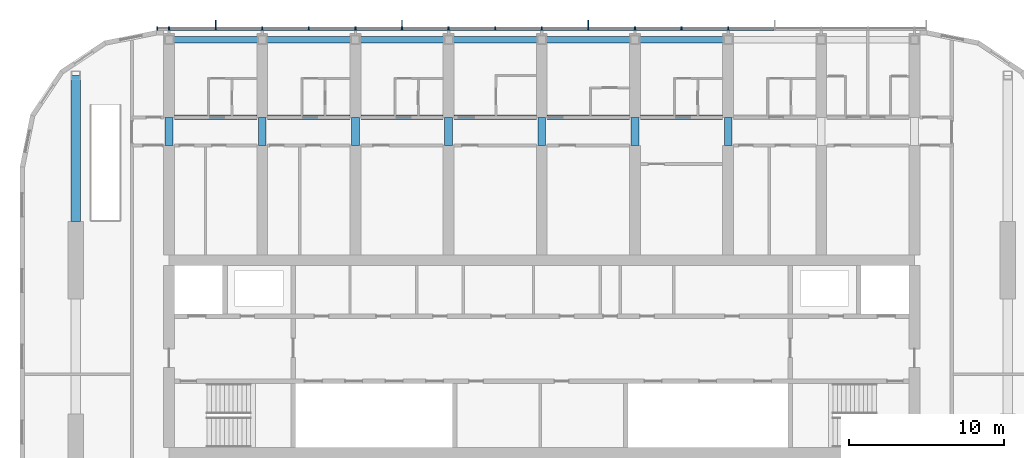
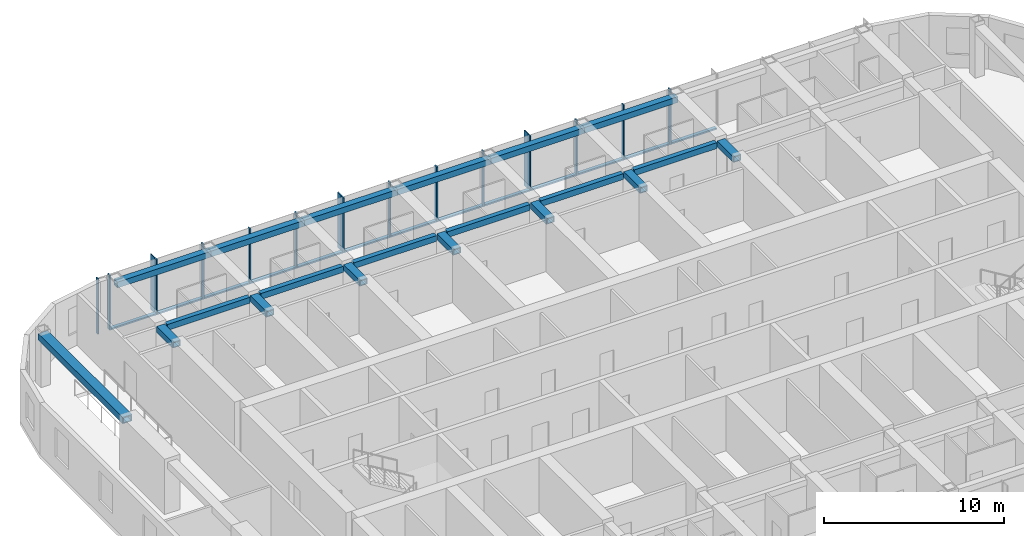
# One storey, part 4 of 23: 30 members, 20 beams, 1 element without a shape of its own.
"""IFC4 building model written with IfcOpenShell, lengths in metres."""

from ifc_helpers import new_model, si_unit, direction, frame, origin, origin_2d, place, context, subcontext, project, spatial, rectangle, hollow_rectangle, extrude, material, material_profile, profile_set, type_object, element, aggregate, save


model = new_model("IFC4")

# Units and contexts
model_context = context("Model", 3, precision=1e-05, world=origin(), true_north=direction((0.0, 1.0)))
body_context = subcontext(model_context, "Body", "Model", "MODEL_VIEW")
ifc_project = project(units=[si_unit("LENGTHUNIT", "METRE"), si_unit("AREAUNIT", "SQUARE_METRE"), si_unit("VOLUMEUNIT", "CUBIC_METRE"), si_unit("PLANEANGLEUNIT", "RADIAN"), si_unit("MASSUNIT", "GRAM", prefix="KILO")], contexts=[model_context])

# Site, building, storey
site_placement = place(None, origin())
site = spatial("IfcSite", under=ifc_project, at=site_placement, CompositionType="ELEMENT")
building_placement = place(site_placement, origin())
building = spatial("IfcBuilding", under=site, at=building_placement, Name="Orbita Commons", CompositionType="ELEMENT")
storey_placement = place(building_placement, frame((0.0, 0.0, 250.300048828125)))
storey = spatial("IfcBuildingStorey", under=building, at=storey_placement, Name="L62", CompositionType="ELEMENT", Elevation=250.300048828125)

# Curtain wall, members
ifc_material_1 = material(Name="Anodised aluminium frame, pale silver", Category="aluminium")
curtain_wall_type = type_object("IfcCurtainWallType", Name="Unitised curtain wall CW-U, full-height vision", PredefinedType="NOTDEFINED", material=ifc_material_1)
curtain_wall_placement = place(storey_placement, origin())
curtain_wall = element("IfcCurtainWall", 1, at=curtain_wall_placement, inside=storey, type_object=curtain_wall_type, Name="Curtain wall north L62", PredefinedType="NOTDEFINED")
ifc_material_2 = material(Name="Anodised aluminium, pale silver", Category="aluminium")
ifc_material_profile_1 = material_profile(ifc_material_2, rectangle(XDim=0.080078125, YDim=0.219970703125, at=origin_2d()), Name="AL 80x220")
ifc_profile_set_1 = profile_set([ifc_material_profile_1], Name="Anodised aluminium, pale silver")
member_type_1 = type_object("IfcMemberType", Name="Curtain wall mullion 80x220", PredefinedType="MULLION", material=ifc_profile_set_1)
member_1_placement = place(storey_placement, frame((54.0, 53.110107421875, -0.25), z_axis=(0.0, 0.0, 1.0), x_axis=(-1.0, 0.0, 0.0)))
member_1 = element("IfcMember", 2, at=member_1_placement, type_object=member_type_1, Name="Mullion 6 CW-L62-N", PredefinedType="MULLION", context=body_context, shape_type="SweptSolid", body=[
    extrude(rectangle(XDim=0.080078125, YDim=0.219970703125, at=origin_2d()), origin(), (0.0, 0.0, 1.0), 3.75),
])
member_2_placement = place(storey_placement, frame((51.0, 53.110107421875, -0.25), z_axis=(0.0, 0.0, 1.0), x_axis=(-1.0, 0.0, 0.0)))
member_2 = element("IfcMember", 3, at=member_2_placement, type_object=member_type_1, Name="Mullion 7 CW-L62-N", PredefinedType="MULLION", context=body_context, shape_type="SweptSolid", body=[
    extrude(rectangle(XDim=0.080078125, YDim=0.219970703125, at=origin_2d()), origin(), (0.0, 0.0, 1.0), 3.75),
])
member_3_placement = place(storey_placement, frame((48.0, 53.110107421875, -0.25), z_axis=(0.0, 0.0, 1.0), x_axis=(-1.0, 0.0, 0.0)))
member_3 = element("IfcMember", 4, at=member_3_placement, type_object=member_type_1, Name="Mullion 8 CW-L62-N", PredefinedType="MULLION", context=body_context, shape_type="SweptSolid", body=[
    extrude(rectangle(XDim=0.080078125, YDim=0.219970703125, at=origin_2d()), origin(), (0.0, 0.0, 1.0), 3.75),
])
member_4_placement = place(storey_placement, frame((45.0, 53.110107421875, -0.25), z_axis=(0.0, 0.0, 1.0), x_axis=(-1.0, 0.0, 0.0)))
member_4 = element("IfcMember", 5, at=member_4_placement, type_object=member_type_1, Name="Mullion 9 CW-L62-N", PredefinedType="MULLION", context=body_context, shape_type="SweptSolid", body=[
    extrude(rectangle(XDim=0.080078125, YDim=0.219970703125, at=origin_2d()), origin(), (0.0, 0.0, 1.0), 3.75),
])
member_5_placement = place(storey_placement, frame((42.0, 53.110107421875, -0.25), z_axis=(0.0, 0.0, 1.0), x_axis=(-1.0, 0.0, 0.0)))
member_5 = element("IfcMember", 6, at=member_5_placement, type_object=member_type_1, Name="Mullion 10 CW-L62-N", PredefinedType="MULLION", context=body_context, shape_type="SweptSolid", body=[
    extrude(rectangle(XDim=0.080078125, YDim=0.219970703125, at=origin_2d()), origin(), (0.0, 0.0, 1.0), 3.75),
])
member_6_placement = place(storey_placement, frame((39.0, 53.110107421875, -0.25), z_axis=(0.0, 0.0, 1.0), x_axis=(-1.0, 0.0, 0.0)))
member_6 = element("IfcMember", 7, at=member_6_placement, type_object=member_type_1, Name="Mullion 11 CW-L62-N", PredefinedType="MULLION", context=body_context, shape_type="SweptSolid", body=[
    extrude(rectangle(XDim=0.080078125, YDim=0.219970703125, at=origin_2d()), origin(), (0.0, 0.0, 1.0), 3.75),
])
member_7_placement = place(storey_placement, frame((36.0, 53.110107421875, -0.25), z_axis=(0.0, 0.0, 1.0), x_axis=(-1.0, 0.0, 0.0)))
member_7 = element("IfcMember", 8, at=member_7_placement, type_object=member_type_1, Name="Mullion 12 CW-L62-N", PredefinedType="MULLION", context=body_context, shape_type="SweptSolid", body=[
    extrude(rectangle(XDim=0.080078125, YDim=0.219970703125, at=origin_2d()), origin(), (0.0, 0.0, 1.0), 3.75),
])
member_8_placement = place(storey_placement, frame((33.0, 53.110107421875, -0.25), z_axis=(0.0, 0.0, 1.0), x_axis=(-1.0, 0.0, 0.0)))
member_8 = element("IfcMember", 9, at=member_8_placement, type_object=member_type_1, Name="Mullion 13 CW-L62-N", PredefinedType="MULLION", context=body_context, shape_type="SweptSolid", body=[
    extrude(rectangle(XDim=0.080078125, YDim=0.219970703125, at=origin_2d()), origin(), (0.0, 0.0, 1.0), 3.75),
])
member_9_placement = place(storey_placement, frame((30.0, 53.110107421875, -0.25), z_axis=(0.0, 0.0, 1.0), x_axis=(-1.0, 0.0, 0.0)))
member_9 = element("IfcMember", 10, at=member_9_placement, type_object=member_type_1, Name="Mullion 14 CW-L62-N", PredefinedType="MULLION", context=body_context, shape_type="SweptSolid", body=[
    extrude(rectangle(XDim=0.080078125, YDim=0.219970703125, at=origin_2d()), origin(), (0.0, 0.0, 1.0), 3.75),
])
member_10_placement = place(storey_placement, frame((27.0, 53.110107421875, -0.25), z_axis=(0.0, 0.0, 1.0), x_axis=(-1.0, 0.0, 0.0)))
member_10 = element("IfcMember", 11, at=member_10_placement, type_object=member_type_1, Name="Mullion 15 CW-L62-N", PredefinedType="MULLION", context=body_context, shape_type="SweptSolid", body=[
    extrude(rectangle(XDim=0.080078125, YDim=0.219970703125, at=origin_2d()), origin(), (0.0, 0.0, 1.0), 3.75),
])
member_11_placement = place(storey_placement, frame((24.0, 53.110107421875, -0.25), z_axis=(0.0, 0.0, 1.0), x_axis=(-1.0, 0.0, 0.0)))
member_11 = element("IfcMember", 12, at=member_11_placement, type_object=member_type_1, Name="Mullion 16 CW-L62-N", PredefinedType="MULLION", context=body_context, shape_type="SweptSolid", body=[
    extrude(rectangle(XDim=0.080078125, YDim=0.219970703125, at=origin_2d()), origin(), (0.0, 0.0, 1.0), 3.75),
])
member_12_placement = place(storey_placement, frame((21.0, 53.110107421875, -0.25), z_axis=(0.0, 0.0, 1.0), x_axis=(-1.0, 0.0, 0.0)))
member_12 = element("IfcMember", 13, at=member_12_placement, type_object=member_type_1, Name="Mullion 17 CW-L62-N", PredefinedType="MULLION", context=body_context, shape_type="SweptSolid", body=[
    extrude(rectangle(XDim=0.080078125, YDim=0.219970703125, at=origin_2d()), origin(), (0.0, 0.0, 1.0), 3.75),
])
member_13_placement = place(storey_placement, frame((18.0, 53.110107421875, -0.25), z_axis=(0.0, 0.0, 1.0), x_axis=(-1.0, 0.0, 0.0)))
member_13 = element("IfcMember", 14, at=member_13_placement, type_object=member_type_1, Name="Mullion 18 CW-L62-N", PredefinedType="MULLION", context=body_context, shape_type="SweptSolid", body=[
    extrude(rectangle(XDim=0.080078125, YDim=0.219970703125, at=origin_2d()), origin(), (0.0, 0.0, 1.0), 3.75),
])
member_14_placement = place(storey_placement, frame((17.239990234375, 53.110107421875, -0.25), z_axis=(0.0, 0.0, 1.0), x_axis=(-1.0, 0.0, 0.0)))
member_14 = element("IfcMember", 15, at=member_14_placement, type_object=member_type_1, Name="Mullion 19 CW-L62-N", PredefinedType="MULLION", context=body_context, shape_type="SweptSolid", body=[
    extrude(rectangle(XDim=0.080078125, YDim=0.219970703125, at=origin_2d()), origin(), (0.0, 0.0, 1.0), 3.75),
])
ifc_material_3 = material(Name="Anodised aluminium, pale silver", Category="aluminium")
ifc_material_profile_2 = material_profile(ifc_material_3, rectangle(XDim=0.219970703125, YDim=0.10009765625, at=origin_2d()), Name="AL 220x100")
ifc_profile_set_2 = profile_set([ifc_material_profile_2], Name="Anodised aluminium, pale silver")
member_type_2 = type_object("IfcMemberType", Name="Curtain wall stack transom 220x100", PredefinedType="USERDEFINED", material=ifc_profile_set_2)
member_15_placement = place(storey_placement, frame((56.9599609375, 53.110107421875, -0.199951171875), z_axis=(-1.0, 0.0, 0.0), x_axis=(0.0, -1.0, 0.0)))
member_15 = element("IfcMember", 16, at=member_15_placement, type_object=member_type_2, Name="Transom 5.1 CW-L62-N", ObjectType="TRANSOM", PredefinedType="USERDEFINED", context=body_context, shape_type="SweptSolid", body=[
    extrude(rectangle(XDim=0.219970703125, YDim=0.10009765625, at=origin_2d()), origin(), (0.0, 0.0, 1.0), 2.919921875),
])
member_16_placement = place(storey_placement, frame((53.9599609375, 53.110107421875, -0.199951171875), z_axis=(-1.0, 0.0, 0.0), x_axis=(0.0, -1.0, 0.0)))
member_16 = element("IfcMember", 17, at=member_16_placement, type_object=member_type_2, Name="Transom 6.1 CW-L62-N", ObjectType="TRANSOM", PredefinedType="USERDEFINED", context=body_context, shape_type="SweptSolid", body=[
    extrude(rectangle(XDim=0.219970703125, YDim=0.10009765625, at=origin_2d()), origin(), (0.0, 0.0, 1.0), 2.919921875),
])
member_17_placement = place(storey_placement, frame((50.9599609375, 53.110107421875, -0.199951171875), z_axis=(-1.0, 0.0, 0.0), x_axis=(0.0, -1.0, 0.0)))
member_17 = element("IfcMember", 18, at=member_17_placement, type_object=member_type_2, Name="Transom 7.1 CW-L62-N", ObjectType="TRANSOM", PredefinedType="USERDEFINED", context=body_context, shape_type="SweptSolid", body=[
    extrude(rectangle(XDim=0.219970703125, YDim=0.10009765625, at=origin_2d()), origin(), (0.0, 0.0, 1.0), 2.919921875),
])
member_18_placement = place(storey_placement, frame((47.9599609375, 53.110107421875, -0.199951171875), z_axis=(-1.0, 0.0, 0.0), x_axis=(0.0, -1.0, 0.0)))
member_18 = element("IfcMember", 19, at=member_18_placement, type_object=member_type_2, Name="Transom 8.1 CW-L62-N", ObjectType="TRANSOM", PredefinedType="USERDEFINED", context=body_context, shape_type="SweptSolid", body=[
    extrude(rectangle(XDim=0.219970703125, YDim=0.10009765625, at=origin_2d()), origin(), (0.0, 0.0, 1.0), 2.919921875),
])
member_19_placement = place(storey_placement, frame((44.9599609375, 53.110107421875, -0.199951171875), z_axis=(-1.0, 0.0, 0.0), x_axis=(0.0, -1.0, 0.0)))
member_19 = element("IfcMember", 20, at=member_19_placement, type_object=member_type_2, Name="Transom 9.1 CW-L62-N", ObjectType="TRANSOM", PredefinedType="USERDEFINED", context=body_context, shape_type="SweptSolid", body=[
    extrude(rectangle(XDim=0.219970703125, YDim=0.10009765625, at=origin_2d()), origin(), (0.0, 0.0, 1.0), 2.919921875),
])
member_20_placement = place(storey_placement, frame((41.9599609375, 53.110107421875, -0.199951171875), z_axis=(-1.0, 0.0, 0.0), x_axis=(0.0, -1.0, 0.0)))
member_20 = element("IfcMember", 21, at=member_20_placement, type_object=member_type_2, Name="Transom 10.1 CW-L62-N", ObjectType="TRANSOM", PredefinedType="USERDEFINED", context=body_context, shape_type="SweptSolid", body=[
    extrude(rectangle(XDim=0.219970703125, YDim=0.10009765625, at=origin_2d()), origin(), (0.0, 0.0, 1.0), 2.919921875),
])
member_21_placement = place(storey_placement, frame((38.9599609375, 53.110107421875, -0.199951171875), z_axis=(-1.0, 0.0, 0.0), x_axis=(0.0, -1.0, 0.0)))
member_21 = element("IfcMember", 22, at=member_21_placement, type_object=member_type_2, Name="Transom 11.1 CW-L62-N", ObjectType="TRANSOM", PredefinedType="USERDEFINED", context=body_context, shape_type="SweptSolid", body=[
    extrude(rectangle(XDim=0.219970703125, YDim=0.10009765625, at=origin_2d()), origin(), (0.0, 0.0, 1.0), 2.919921875),
])
member_22_placement = place(storey_placement, frame((35.9599609375, 53.110107421875, -0.199951171875), z_axis=(-1.0, 0.0, 0.0), x_axis=(0.0, -1.0, 0.0)))
member_22 = element("IfcMember", 23, at=member_22_placement, type_object=member_type_2, Name="Transom 12.1 CW-L62-N", ObjectType="TRANSOM", PredefinedType="USERDEFINED", context=body_context, shape_type="SweptSolid", body=[
    extrude(rectangle(XDim=0.219970703125, YDim=0.10009765625, at=origin_2d()), origin(), (0.0, 0.0, 1.0), 2.919921875),
])
member_23_placement = place(storey_placement, frame((32.9599609375, 53.110107421875, -0.199951171875), z_axis=(-1.0, 0.0, 0.0), x_axis=(0.0, -1.0, 0.0)))
member_23 = element("IfcMember", 24, at=member_23_placement, type_object=member_type_2, Name="Transom 13.1 CW-L62-N", ObjectType="TRANSOM", PredefinedType="USERDEFINED", context=body_context, shape_type="SweptSolid", body=[
    extrude(rectangle(XDim=0.219970703125, YDim=0.10009765625, at=origin_2d()), origin(), (0.0, 0.0, 1.0), 2.919921875),
])
member_24_placement = place(storey_placement, frame((29.9599609375, 53.110107421875, -0.199951171875), z_axis=(-1.0, 0.0, 0.0), x_axis=(0.0, -1.0, 0.0)))
member_24 = element("IfcMember", 25, at=member_24_placement, type_object=member_type_2, Name="Transom 14.1 CW-L62-N", ObjectType="TRANSOM", PredefinedType="USERDEFINED", context=body_context, shape_type="SweptSolid", body=[
    extrude(rectangle(XDim=0.219970703125, YDim=0.10009765625, at=origin_2d()), origin(), (0.0, 0.0, 1.0), 2.919921875),
])
member_25_placement = place(storey_placement, frame((26.9599609375, 53.110107421875, -0.199951171875), z_axis=(-1.0, 0.0, 0.0), x_axis=(0.0, -1.0, 0.0)))
member_25 = element("IfcMember", 26, at=member_25_placement, type_object=member_type_2, Name="Transom 15.1 CW-L62-N", ObjectType="TRANSOM", PredefinedType="USERDEFINED", context=body_context, shape_type="SweptSolid", body=[
    extrude(rectangle(XDim=0.219970703125, YDim=0.10009765625, at=origin_2d()), origin(), (0.0, 0.0, 1.0), 2.919921875),
])
member_26_placement = place(storey_placement, frame((23.9599609375, 53.110107421875, -0.199951171875), z_axis=(-1.0, 0.0, 0.0), x_axis=(0.0, -1.0, 0.0)))
member_26 = element("IfcMember", 27, at=member_26_placement, type_object=member_type_2, Name="Transom 16.1 CW-L62-N", ObjectType="TRANSOM", PredefinedType="USERDEFINED", context=body_context, shape_type="SweptSolid", body=[
    extrude(rectangle(XDim=0.219970703125, YDim=0.10009765625, at=origin_2d()), origin(), (0.0, 0.0, 1.0), 2.919921875),
])
member_27_placement = place(storey_placement, frame((20.9599609375, 53.110107421875, -0.199951171875), z_axis=(-1.0, 0.0, 0.0), x_axis=(0.0, -1.0, 0.0)))
member_27 = element("IfcMember", 28, at=member_27_placement, type_object=member_type_2, Name="Transom 17.1 CW-L62-N", ObjectType="TRANSOM", PredefinedType="USERDEFINED", context=body_context, shape_type="SweptSolid", body=[
    extrude(rectangle(XDim=0.219970703125, YDim=0.10009765625, at=origin_2d()), origin(), (0.0, 0.0, 1.0), 2.919921875),
])

# Beams
ifc_material_4 = material(Name="Steel ASTM A572 Gr 50 welded plate", Category="steel")
ifc_material_profile_3 = material_profile(ifc_material_4, hollow_rectangle(XDim=0.300048828125, YDim=0.39990234375, WallThickness=0.0400390625, at=origin_2d()), Name="BOX 400x300x40")
ifc_profile_set_3 = profile_set([ifc_material_profile_3], Name="Steel ASTM A572 Gr 50 welded plate")
beam_type_1 = type_object("IfcBeamType", Name="Steel corridor link BOX 400x300x40", PredefinedType="BEAM", material=ifc_profile_set_3)
for number, where, z_axis, x_axis, name in (
    (29, (18.35009765625, 47.39990234375, 3.300048828125), (1.0, 0.0, 0.0), (0.0, 1.0, 0.0), "Corridor beam NB 4-5 L62"),
    (30, (24.35009765625, 47.39990234375, 3.300048828125), (1.0, 0.0, 0.0), (0.0, 1.0, 0.0), "Corridor beam NB 5-6 L62"),
    (31, (30.35009765625, 47.39990234375, 3.300048828125), (1.0, 0.0, 0.0), (0.0, 1.0, 0.0), "Corridor beam NB 6-7 L62"),
    (32, (36.35009765625, 47.39990234375, 3.300048828125), (1.0, 0.0, 0.0), (0.0, 1.0, 0.0), "Corridor beam NB 7-8 L62"),
    (33, (42.35009765625, 47.39990234375, 3.300048828125), (1.0, 0.0, 0.0), (0.0, 1.0, 0.0), "Corridor beam NB 8-9 L62"),
    (34, (48.35009765625, 47.39990234375, 3.300048828125), (1.0, 0.0, 0.0), (0.0, 1.0, 0.0), "Corridor beam NB 9-10 L62"),
):
    element("IfcBeam", number, at=place(storey_placement, frame(where, z_axis=z_axis, x_axis=x_axis)), inside=storey, type_object=beam_type_1, Name=name, PredefinedType="BEAM", context=body_context, shape_type="SweptSolid", body=[
        extrude(hollow_rectangle(XDim=0.300048828125, YDim=0.39990234375, WallThickness=0.0400390625, at=origin_2d()), origin(), (0.0, 0.0, 1.0), 5.2998046875),
    ])
ifc_material_5 = material(Name="Steel ASTM A572 Gr 50 welded plate", Category="steel")
ifc_material_profile_4 = material_profile(ifc_material_5, hollow_rectangle(XDim=0.5, YDim=0.39990234375, WallThickness=0.050048828125, at=origin_2d()), Name="BOX 400x500x50")
ifc_profile_set_4 = profile_set([ifc_material_profile_4], Name="Steel ASTM A572 Gr 50 welded plate")
beam_type_2 = type_object("IfcBeamType", Name="Steel coupling link BOX 400x500x50", PredefinedType="LINTEL", material=ifc_profile_set_4)
for number, where, z_axis, x_axis, name in (
    (35, (18.0, 45.60009765625, 3.300048828125), (0.0, 1.0, 0.0), (-1.0, 0.0, 0.0), "Coupling beam 4 north L62"),
    (36, (24.0, 45.60009765625, 3.300048828125), (0.0, 1.0, 0.0), (-1.0, 0.0, 0.0), "Coupling beam 5 north L62"),
    (37, (30.0, 45.60009765625, 3.300048828125), (0.0, 1.0, 0.0), (-1.0, 0.0, 0.0), "Coupling beam 6 north L62"),
    (38, (36.0, 45.60009765625, 3.300048828125), (0.0, 1.0, 0.0), (-1.0, 0.0, 0.0), "Coupling beam 7 north L62"),
    (39, (42.0, 45.60009765625, 3.300048828125), (0.0, 1.0, 0.0), (-1.0, 0.0, 0.0), "Coupling beam 8 north L62"),
    (40, (48.0, 45.60009765625, 3.300048828125), (0.0, 1.0, 0.0), (-1.0, 0.0, 0.0), "Coupling beam 9 north L62"),
    (41, (54.0, 45.60009765625, 3.300048828125), (0.0, 1.0, 0.0), (-1.0, 0.0, 0.0), "Coupling beam 10 north L62"),
):
    element("IfcBeam", number, at=place(storey_placement, frame(where, z_axis=z_axis, x_axis=x_axis)), inside=storey, type_object=beam_type_2, Name=name, PredefinedType="LINTEL", context=body_context, shape_type="SweptSolid", body=[
        extrude(hollow_rectangle(XDim=0.5, YDim=0.39990234375, WallThickness=0.050048828125, at=origin_2d()), origin(), (0.0, 0.0, 1.0), 1.7998046875),
    ])
ifc_material_6 = material(Name="Steel ASTM A572 Gr 50 welded plate", Category="steel")
ifc_material_profile_5 = material_profile(ifc_material_6, hollow_rectangle(XDim=0.60009765625, YDim=0.449951171875, WallThickness=0.06005859375, at=origin_2d()), Name="BOX 450x600x60")
ifc_profile_set_5 = profile_set([ifc_material_profile_5], Name="Steel ASTM A572 Gr 50 welded plate")
beam_type_3 = type_object("IfcBeamType", Name="Steel end frame link BOX 450x600x60", PredefinedType="BEAM", material=ifc_profile_set_5)
beam_placement = place(storey_placement, frame((12.0, 40.699951171875, 3.27490234375), z_axis=(0.0, 1.0, 0.0), x_axis=(-1.0, 0.0, 0.0)))
element("IfcBeam", 42, at=beam_placement, inside=storey, type_object=beam_type_3, Name="End frame beam 3 D-E L62", PredefinedType="BEAM", context=body_context, shape_type="SweptSolid", body=[
    extrude(hollow_rectangle(XDim=0.60009765625, YDim=0.449951171875, WallThickness=0.06005859375, at=origin_2d()), origin(), (0.0, 0.0, 1.0), 9.400146484375),
])
ifc_material_7 = material(Name="Steel ASTM A572 Gr 50 welded plate", Category="steel")
ifc_material_profile_6 = material_profile(ifc_material_7, hollow_rectangle(XDim=0.39990234375, YDim=0.39990234375, WallThickness=0.0400390625, at=origin_2d()), Name="BOX 400x400x40")
ifc_profile_set_6 = profile_set([ifc_material_profile_6], Name="Steel ASTM A572 Gr 50 welded plate")
beam_type_4 = type_object("IfcBeamType", Name="Steel spandrel BOX 400x400x40", PredefinedType="SPANDREL", material=ifc_profile_set_6)
for number, where, z_axis, x_axis, name in (
    (43, (18.0, 52.39990234375, 3.300048828125), (1.0, 0.0, 0.0), (0.0, 1.0, 0.0), "Spandrel beam E 4-5 L62"),
    (44, (24.0, 52.39990234375, 3.300048828125), (1.0, 0.0, 0.0), (0.0, 1.0, 0.0), "Spandrel beam E 5-6 L62"),
    (45, (30.0, 52.39990234375, 3.300048828125), (1.0, 0.0, 0.0), (0.0, 1.0, 0.0), "Spandrel beam E 6-7 L62"),
    (46, (36.0, 52.39990234375, 3.300048828125), (1.0, 0.0, 0.0), (0.0, 1.0, 0.0), "Spandrel beam E 7-8 L62"),
    (47, (42.0, 52.39990234375, 3.300048828125), (1.0, 0.0, 0.0), (0.0, 1.0, 0.0), "Spandrel beam E 8-9 L62"),
    (48, (48.0, 52.39990234375, 3.300048828125), (1.0, 0.0, 0.0), (0.0, 1.0, 0.0), "Spandrel beam E 9-10 L62"),
):
    element("IfcBeam", number, at=place(storey_placement, frame(where, z_axis=z_axis, x_axis=x_axis)), inside=storey, type_object=beam_type_4, Name=name, PredefinedType="SPANDREL", context=body_context, shape_type="SweptSolid", body=[
        extrude(hollow_rectangle(XDim=0.39990234375, YDim=0.39990234375, WallThickness=0.0400390625, at=origin_2d()), origin(), (0.0, 0.0, 1.0), 6.0),
    ])

# Member
ifc_material_8 = material(Name="Anodised aluminium, pale silver", Category="aluminium")
ifc_material_profile_7 = material_profile(ifc_material_8, rectangle(XDim=0.06005859375, YDim=0.449951171875, at=origin_2d()), Name="FIN 60x450")
ifc_profile_set_7 = profile_set([ifc_material_profile_7], Name="Anodised aluminium, pale silver")
member_type_3 = type_object("IfcMemberType", Name="Vertical fin 60x450 pale aluminium", PredefinedType="USERDEFINED", material=ifc_profile_set_7)
member_28_placement = place(storey_placement, frame((45.0, 53.445068359375, -0.25), z_axis=(0.0, 0.0, 1.0), x_axis=(-1.0, 0.0, 0.0)))
member_28 = element("IfcMember", 49, at=member_28_placement, type_object=member_type_3, Name="Fin 9 CW-L62-N", ObjectType="FIN", PredefinedType="USERDEFINED", context=body_context, shape_type="SweptSolid", body=[
    extrude(rectangle(XDim=0.06005859375, YDim=0.449951171875, at=origin_2d()), origin(), (0.0, 0.0, 1.0), 3.75),
])

member_29_placement = place(storey_placement, frame((33.0, 53.445068359375, -0.25), z_axis=(0.0, 0.0, 1.0), x_axis=(-1.0, 0.0, 0.0)))
member_29 = element("IfcMember", 50, at=member_29_placement, type_object=member_type_3, Name="Fin 13 CW-L62-N", ObjectType="FIN", PredefinedType="USERDEFINED", context=body_context, shape_type="SweptSolid", body=[
    extrude(rectangle(XDim=0.06005859375, YDim=0.449951171875, at=origin_2d()), origin(), (0.0, 0.0, 1.0), 3.75),
])

member_30_placement = place(storey_placement, frame((21.0, 53.445068359375, -0.25), z_axis=(0.0, 0.0, 1.0), x_axis=(-1.0, 0.0, 0.0)))
member_30 = element("IfcMember", 51, at=member_30_placement, type_object=member_type_3, Name="Fin 17 CW-L62-N", ObjectType="FIN", PredefinedType="USERDEFINED", context=body_context, shape_type="SweptSolid", body=[
    extrude(rectangle(XDim=0.06005859375, YDim=0.449951171875, at=origin_2d()), origin(), (0.0, 0.0, 1.0), 3.75),
])

aggregate(curtain_wall, [member_1, member_2, member_3, member_4, member_28, member_5, member_6, member_7, member_8, member_29, member_9, member_10, member_11, member_12, member_30, member_13, member_14, member_15, member_16, member_17, member_18, member_19, member_20, member_21, member_22, member_23, member_24, member_25, member_26, member_27])

save(model, "model.ifc")
